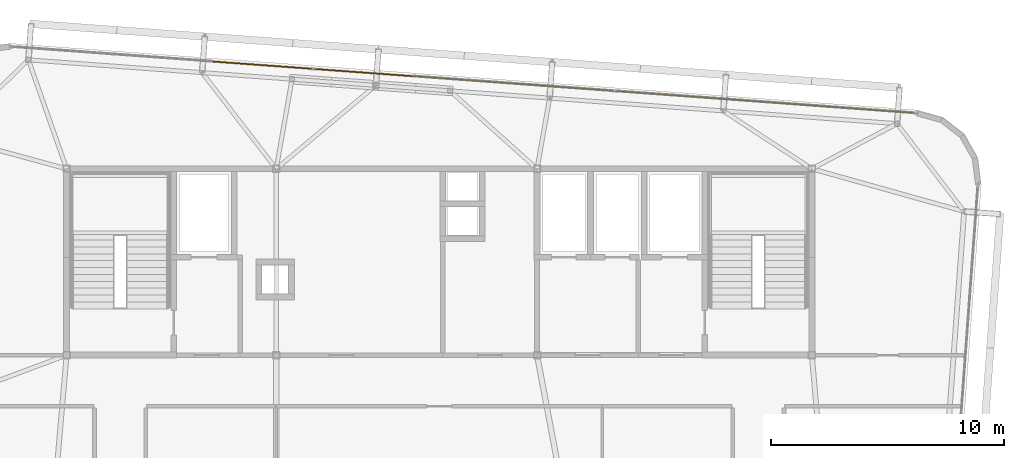
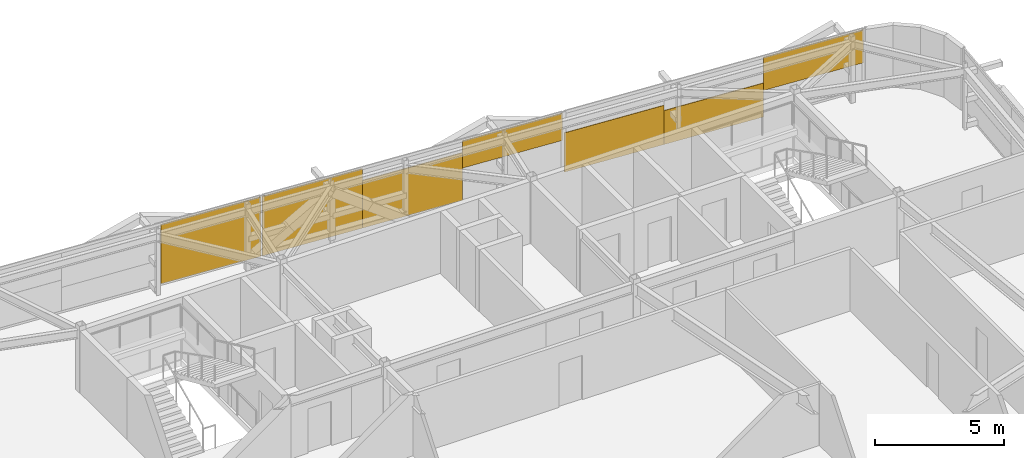
# One storey, part 35 of 35: 7 coverings.
"""IFC4 building model written with IfcOpenShell, lengths in metres."""

from ifc_helpers import new_model, si_unit, direction, frame, origin, origin_2d, place, context, subcontext, project, spatial, rectangle, extrude, source, transform, mapped, material, layer, layer_set, type_object, element, save


model = new_model("IFC4")

# Units and contexts
model_context = context("Model", 3, precision=1e-05, world=origin(), true_north=direction((0.0, 1.0)))
body_context = subcontext(model_context, "Body", "Model", "MODEL_VIEW")
ifc_project = project(units=[si_unit("LENGTHUNIT", "METRE"), si_unit("AREAUNIT", "SQUARE_METRE"), si_unit("VOLUMEUNIT", "CUBIC_METRE"), si_unit("PLANEANGLEUNIT", "RADIAN"), si_unit("MASSUNIT", "GRAM", prefix="KILO")], contexts=[model_context])

# Site, building, storey
site_placement = place(None, origin())
site = spatial("IfcSite", under=ifc_project, at=site_placement, CompositionType="ELEMENT")
building_placement = place(site_placement, origin())
building = spatial("IfcBuilding", under=site, at=building_placement, Name="Taldren Reach Tower", CompositionType="ELEMENT")
storey_placement = place(building_placement, frame((0.0, 0.0, 236.60009765625)))
storey = spatial("IfcBuildingStorey", under=building, at=storey_placement, Name="L72", CompositionType="ELEMENT", Elevation=236.60009765625)

# Coverings
ifc_material = material(Name="Pale Champagne Fluoropolymer Aluminium Spandrel Cladding", Category="aluminium")
ifc_layer = layer(ifc_material, 0.0439453125)
ifc_layer_set = layer_set([ifc_layer], Name="Pale Champagne Fluoropolymer Aluminium Spandrel Cladding")
covering_type = type_object("IfcCoveringType", Name="CV-CLAD-044", PredefinedType="CLADDING", material=ifc_layer_set)
shared_shape_1 = source(origin(), body_context, "Body", "SweptSolid", [
    extrude(rectangle(XDim=4.308349609375, YDim=0.0439453125, at=origin_2d()), origin(), (0.0, 0.0, 1.0), 1.2802734375),
])
covering_1_placement = place(storey_placement, frame((40.34375, 35.50244140625, 1.589599609375), z_axis=(0.0, 0.0, 1.0), x_axis=(-0.997314476006, 0.073238213716, 0.0)))
element("IfcCovering", 1, at=covering_1_placement, inside=storey, type_object=covering_type, Name="Diagrid closure cladding strip CW-6 panel 2.1 1", PredefinedType="CLADDING", context=body_context, shape_type="MappedRepresentation", body=[
    mapped(shared_shape_1, transform((0.0, 0.0, 0.0), scale=1.0)),
])
shared_shape_2 = source(origin(), body_context, "Body", "SweptSolid", [
    extrude(rectangle(XDim=4.2958984375, YDim=0.0439453125, at=origin_2d()), origin(), (0.0, 0.0, 1.0), 1.85693359375),
])
covering_2_placement = place(storey_placement, frame((44.708984375, 35.181884765625, 0.06005859375), z_axis=(0.0, 0.0, 1.0), x_axis=(-0.997314476006, 0.073238213716, 0.0)))
element("IfcCovering", 2, at=covering_2_placement, inside=storey, type_object=covering_type, Name="Diagrid closure cladding strip CW-6 panel 1.1 3", PredefinedType="CLADDING", context=body_context, shape_type="MappedRepresentation", body=[
    mapped(shared_shape_2, transform((0.0, 0.0, 0.0), scale=1.0)),
])
shared_shape_3 = source(origin(), body_context, "Body", "SweptSolid", [
    extrude(rectangle(XDim=4.2958984375, YDim=0.0439453125, at=origin_2d()), origin(), (0.0, 0.0, 1.0), 1.605712890625),
])
covering_3_placement = place(storey_placement, frame((48.993408203125, 34.8671875, 0.06005859375), z_axis=(0.0, 0.0, 1.0), x_axis=(-0.997314476006, 0.073238213716, 0.0)))
element("IfcCovering", 3, at=covering_3_placement, inside=storey, type_object=covering_type, Name="Diagrid closure cladding strip CW-6 panel 1.1 2", PredefinedType="CLADDING", context=body_context, shape_type="MappedRepresentation", body=[
    mapped(shared_shape_3, transform((0.0, 0.0, 0.0), scale=1.0)),
])
shared_shape_4 = source(origin(), body_context, "Body", "SweptSolid", [
    extrude(rectangle(XDim=4.2958984375, YDim=0.0439453125, at=origin_2d()), origin(), (0.0, 0.0, 1.0), 1.555908203125),
])
covering_4_placement = place(storey_placement, frame((53.277587890625, 34.552490234375, 1.31396484375), z_axis=(0.0, 0.0, 1.0), x_axis=(-0.997314476006, 0.073238213716, 0.0)))
element("IfcCovering", 4, at=covering_4_placement, inside=storey, type_object=covering_type, Name="Diagrid closure cladding strip CW-6 panel 1.1 1", PredefinedType="CLADDING", context=body_context, shape_type="MappedRepresentation", body=[
    mapped(shared_shape_4, transform((0.0, 0.0, 0.0), scale=1.0)),
])
shared_shape_5 = source(origin(), body_context, "Body", "SweptSolid", [
    extrude(rectangle(XDim=4.308349609375, YDim=0.0439453125, at=origin_2d()), origin(), (0.0, 0.0, 1.0), 2.81005859375),
])
covering_5_placement = place(storey_placement, frame((31.750244140625, 36.133544921875, 0.059814453125), z_axis=(0.0, 0.0, 1.0), x_axis=(-0.997314476006, 0.073238213716, 0.0)))
element("IfcCovering", 5, at=covering_5_placement, inside=storey, type_object=covering_type, Name="Diagrid closure cladding strip CW-6 panel 2.1 3", PredefinedType="CLADDING", context=body_context, shape_type="MappedRepresentation", body=[
    mapped(shared_shape_5, transform((0.0, 0.0, 0.0), scale=1.0)),
])
shared_shape_6 = source(origin(), body_context, "Body", "SweptSolid", [
    extrude(rectangle(XDim=4.308349609375, YDim=0.0439453125, at=origin_2d()), origin(), (0.0, 0.0, 1.0), 2.250732421875),
])
covering_6_placement = place(storey_placement, frame((36.046875, 35.81787109375, 0.06005859375), z_axis=(0.0, 0.0, 1.0), x_axis=(-0.997314476006, 0.073238213716, 0.0)))
element("IfcCovering", 6, at=covering_6_placement, inside=storey, type_object=covering_type, Name="Diagrid closure cladding strip CW-6 panel 2.1 2", PredefinedType="CLADDING", context=body_context, shape_type="MappedRepresentation", body=[
    mapped(shared_shape_6, transform((0.0, 0.0, 0.0), scale=1.0)),
])
shared_shape_7 = source(origin(), body_context, "Body", "SweptSolid", [
    extrude(rectangle(XDim=4.2958984375, YDim=0.0439453125, at=origin_2d()), origin(), (0.0, 0.0, 1.0), 2.81005859375),
])
covering_7_placement = place(storey_placement, frame((27.384765625, 36.4541015625, 0.059814453125), z_axis=(0.0, 0.0, 1.0), x_axis=(-0.997314476006, 0.073238213716, 0.0)))
element("IfcCovering", 7, at=covering_7_placement, inside=storey, type_object=covering_type, Name="Diagrid closure cladding strip CW-6 panel 3.1 1", PredefinedType="CLADDING", context=body_context, shape_type="MappedRepresentation", body=[
    mapped(shared_shape_7, transform((0.0, 0.0, 0.0), scale=1.0)),
])

save(model, "model.ifc")
